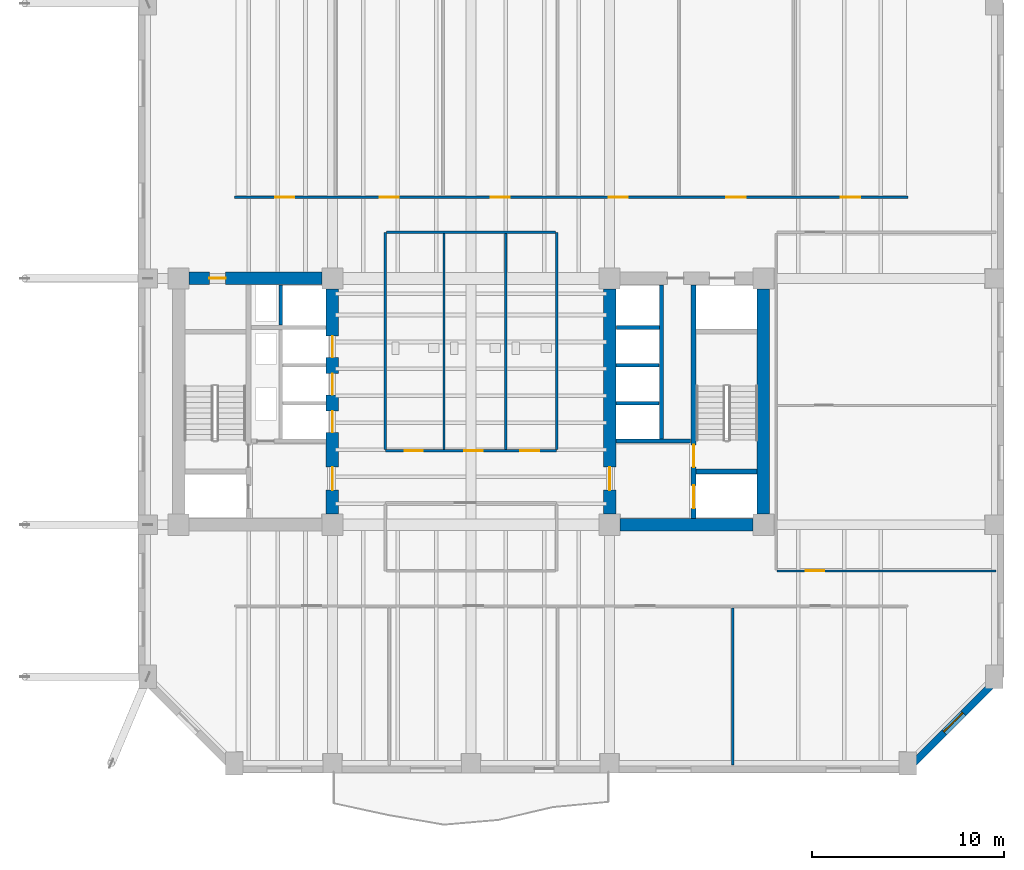
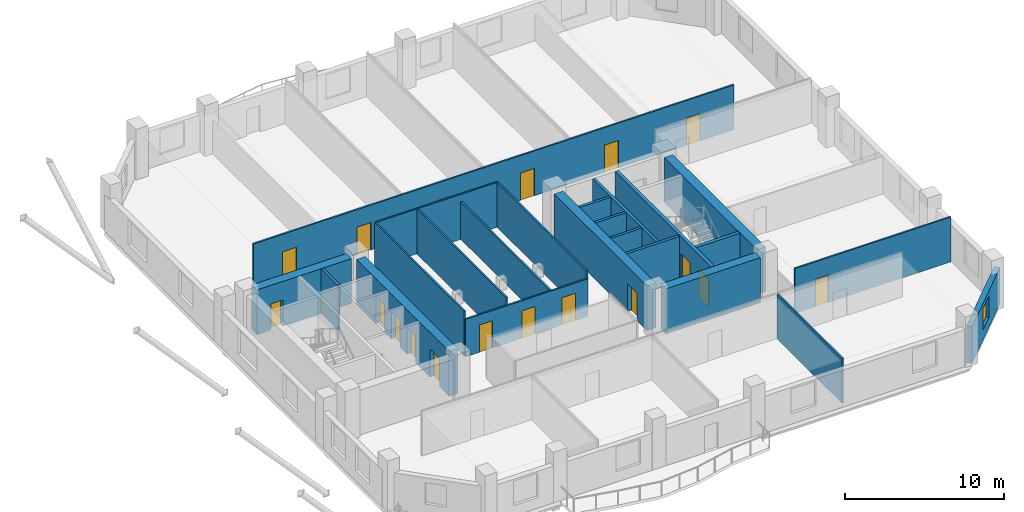
# One storey, part 6 of 12: 23 walls, 18 doors, 1 window, 19 openings.
"""IFC4 building model written with IfcOpenShell, lengths in metres."""

from ifc_helpers import new_model, si_unit, direction, frame, frame_2d, origin, place, context, subcontext, project, spatial, rectangle, extrude, material, layer, layer_set, type_object, element, fill, save


model = new_model("IFC4")

# Units and contexts
model_context = context("Model", 3, precision=1e-05, world=origin(), true_north=direction((0.0, 1.0)))
body_context = subcontext(model_context, "Body", "Model", "MODEL_VIEW")
ifc_project = project(units=[si_unit("LENGTHUNIT", "METRE"), si_unit("AREAUNIT", "SQUARE_METRE"), si_unit("VOLUMEUNIT", "CUBIC_METRE"), si_unit("PLANEANGLEUNIT", "RADIAN"), si_unit("MASSUNIT", "GRAM", prefix="KILO")], contexts=[model_context])

# Site, building, storey
site_placement = place(None, origin())
site = spatial("IfcSite", under=ifc_project, at=site_placement, CompositionType="ELEMENT")
building_placement = place(site_placement, origin())
building = spatial("IfcBuilding", under=site, at=building_placement, Name="Kranthara Brick Stack", CompositionType="ELEMENT")
storey_placement = place(building_placement, frame((0.0, 0.0, 90.60009765625)))
storey = spatial("IfcBuildingStorey", under=building, at=storey_placement, Name="L22", CompositionType="ELEMENT", Elevation=90.60009765625)

# Wall, opening, window
ifc_material_1 = material(Name="Kiln-fired clay brick masonry M15", Category="masonry")
ifc_layer_1 = layer(ifc_material_1, 0.3798828125)
ifc_layer_set_1 = layer_set([ifc_layer_1], Name="Kiln-fired clay brick masonry M15")
wall_type_1 = type_object("IfcWallType", Name="WL-BRK-PIER-380", PredefinedType="STANDARD", material=ifc_layer_set_1)
wall_1_placement = place(storey_placement, frame((55.489990234375, 12.89990234375, 0.0), z_axis=(0.0, 0.0, 1.0), x_axis=(-0.707124801467, -0.707088760447, 0.0)))
wall_1 = element("IfcWall", 1, at=wall_1_placement, inside=storey, type_object=wall_type_1, Name="L22 Exterior Brick Facade Wall SE 1", PredefinedType="STANDARD", context=body_context, shape_type="SweptSolid", body=[
    extrude(rectangle(XDim=6.77392578125, YDim=0.3798828125, at=frame_2d((3.386962890625, 0.0))), origin(), (0.0, 0.0, 1.0), 2.8349609375),
])
opening_1_placement = place(wall_1_placement, frame((2.68701171875, 0.0, 0.800048828125)))
opening_1 = element("IfcOpeningElement", 2, at=opening_1_placement, cuts=wall_1, Name="Opening WN10", PredefinedType="OPENING", context=body_context, shape_type="SweptSolid", body=[
    extrude(rectangle(XDim=1.39990234375, YDim=1.64990234375, at=frame_2d((0.699951171875, 0.824951171875))), frame((0.0, 0.199951171875, 0.0), z_axis=(0.0, -1.0, 0.0), x_axis=(1.0, 0.0, 0.0)), (0.0, 0.0, 1.0), 0.39990234375),
])
ifc_material_2 = material(Name="Double-glazed low-E solar control glass", Category="glass")
window_type = type_object("IfcWindowType", Name="WN-CHM-1400x1750", PartitioningType="SINGLE_PANEL", PredefinedType="WINDOW", material=ifc_material_2)
window_placement = place(opening_1_placement, origin())
window = element("IfcWindow", 3, at=window_placement, inside=storey, type_object=window_type, Name="L22 SE Chamfer Corner Window", OverallHeight=1.64990234375, OverallWidth=1.39990234375, PartitioningType="SINGLE_PANEL", PredefinedType="WINDOW", context=body_context, shape_type="SweptSolid", body=[
    extrude(rectangle(XDim=1.39990234375, YDim=1.64990234375, at=frame_2d((0.699951171875, 0.824951171875))), frame((0.0, -0.010009765625, 0.0), z_axis=(0.0, -1.0, 0.0), x_axis=(1.0, 0.0, 0.0)), (0.0, 0.0, 1.0), 0.06005859375),
])
fill(opening_1, window)

# Wall, openings, doors
ifc_material_3 = material(Name="Concrete C50/60", Category="concrete")
ifc_layer_2 = layer(ifc_material_3, 0.25)
ifc_layer_set_2 = layer_set([ifc_layer_2], Name="Concrete C50/60")
wall_type_2 = type_object("IfcWallType", Name="WL-CORE-250", PredefinedType="SHEAR", material=ifc_layer_set_2)
wall_2_placement = place(storey_placement, frame((39.56494140625, 21.135009765625, 0.0), z_axis=(0.0, 0.0, 1.0), x_axis=(0.0, 1.0, 0.0)))
wall_2 = element("IfcWall", 4, at=wall_2_placement, inside=storey, type_object=wall_type_2, Name="L22 East Core Stair Bearing Spine Wall", PredefinedType="SHEAR", context=body_context, shape_type="SweptSolid", body=[
    extrude(rectangle(XDim=12.1298828125, YDim=0.25, at=frame_2d((6.06494140625, 0.0))), origin(), (0.0, 0.0, 1.0), 3.449951171875),
])
opening_2_placement = place(wall_2_placement, frame((0.514892578125, 0.0, 0.0)))
opening_2 = element("IfcOpeningElement", 5, at=opening_2_placement, cuts=wall_2, Name="Opening LD01", PredefinedType="OPENING", context=body_context, shape_type="SweptSolid", body=[
    extrude(rectangle(XDim=1.199951171875, YDim=2.14990234375, at=frame_2d((0.60009765625, 1.074951171875))), frame((0.0, 0.135009765625, 0.0), z_axis=(0.0, -1.0, 0.0), x_axis=(1.0, 0.0, 0.0)), (0.0, 0.0, 1.0), 0.27001953125),
])
opening_3_placement = place(wall_2_placement, frame((2.6650390625, 0.0, 0.0)))
opening_3 = element("IfcOpeningElement", 6, at=opening_3_placement, cuts=wall_2, Name="Opening D05", PredefinedType="OPENING", context=body_context, shape_type="SweptSolid", body=[
    extrude(rectangle(XDim=1.14990234375, YDim=2.14990234375, at=frame_2d((0.574951171875, 1.074951171875))), frame((0.0, 0.135009765625, 0.0), z_axis=(0.0, -1.0, 0.0), x_axis=(1.0, 0.0, 0.0)), (0.0, 0.0, 1.0), 0.27001953125),
])
ifc_material_4 = material(Name="Stainless steel sliding landing door", Category="steel")
door_type_1 = type_object("IfcDoorType", Name="DR-LD-FF1200", OperationType="DOUBLE_DOOR_SLIDING", PredefinedType="DOOR", material=ifc_material_4)
door_1_placement = place(opening_2_placement, origin())
door_1 = element("IfcDoor", 7, at=door_1_placement, inside=storey, type_object=door_type_1, Name="L22 Firefighting Lift FF-02 Landing Door", OperationType="DOUBLE_DOOR_SLIDING", OverallHeight=2.14990234375, OverallWidth=1.199951171875, PredefinedType="DOOR", context=body_context, shape_type="SweptSolid", body=[
    extrude(rectangle(XDim=1.199951171875, YDim=2.14990234375, at=frame_2d((0.60009765625, 1.074951171875))), frame((0.0, 0.02490234375, 0.0), z_axis=(0.0, -1.0, 0.0), x_axis=(1.0, 0.0, 0.0)), (0.0, 0.0, 1.0), 0.050048828125),
])
fill(opening_2, door_1)
ifc_material_5 = material(Name="Solid-core hardwood timber leaf in steel frame", Category="steel")
door_type_2 = type_object("IfcDoorType", Name="DR-ST-1150", OperationType="NOTDEFINED", PredefinedType="DOOR", material=ifc_material_5)
door_2_placement = place(opening_3_placement, origin())
door_2 = element("IfcDoor", 8, at=door_2_placement, inside=storey, type_object=door_type_2, Name="L22 Exit Stair ST02 Door", OperationType="SINGLE_SWING_LEFT", OverallHeight=2.14990234375, OverallWidth=1.14990234375, PredefinedType="DOOR", context=body_context, shape_type="SweptSolid", body=[
    extrude(rectangle(XDim=1.14990234375, YDim=2.14990234375, at=frame_2d((0.574951171875, 1.074951171875))), frame((0.0, 0.02490234375, 0.0), z_axis=(0.0, -1.0, 0.0), x_axis=(1.0, 0.0, 0.0)), (0.0, 0.0, 1.0), 0.050048828125),
])
fill(opening_3, door_2)

# Wall
wall_3_placement = place(storey_placement, frame((39.68994140625, 23.570068359375, 0.0), z_axis=(0.0, 0.0, 1.0), x_axis=(1.0, 0.0, 0.0)))
element("IfcWall", 9, at=wall_3_placement, inside=storey, type_object=wall_type_2, Name="L22 East Stairwell Bearing Wall EFF", PredefinedType="SHEAR", context=body_context, shape_type="SweptSolid", body=[
    extrude(rectangle(XDim=3.175048828125, YDim=0.25, at=frame_2d((1.58740234375, 0.0))), origin(), (0.0, 0.0, 1.0), 3.449951171875),
])

# Wall, opening, door
ifc_material_6 = material(Name="Concrete C60/75", Category="concrete")
ifc_layer_3 = layer(ifc_material_6, 0.64990234375)
ifc_layer_set_3 = layer_set([ifc_layer_3], Name="Concrete C60/75")
wall_type_3 = type_object("IfcWallType", Name="WL-CORE-650", PredefinedType="SHEAR", material=ifc_layer_set_3)
wall_4_placement = place(storey_placement, frame((13.35498046875, 33.60009765625, 0.0), z_axis=(0.0, 0.0, 1.0), x_axis=(1.0, 0.0, 0.0)))
wall_4 = element("IfcWall", 10, at=wall_4_placement, inside=storey, type_object=wall_type_3, Name="L22 West Core Shear Wall North", PredefinedType="SHEAR", context=body_context, shape_type="SweptSolid", body=[
    extrude(rectangle(XDim=6.89013671875, YDim=0.64990234375, at=frame_2d((3.445068359375, 0.0))), origin(), (0.0, 0.0, 1.0), 3.449951171875),
])
opening_4_placement = place(wall_4_placement, frame((1.044921875, 0.0, 0.0)))
opening_4 = element("IfcOpeningElement", 11, at=opening_4_placement, cuts=wall_4, Name="Opening D10", PredefinedType="OPENING", context=body_context, shape_type="SweptSolid", body=[
    extrude(rectangle(XDim=0.85009765625, YDim=2.02001953125, at=frame_2d((0.425048828125, 1.010009765625))), frame((0.0, 0.3349609375, 0.0), z_axis=(0.0, -1.0, 0.0), x_axis=(1.0, 0.0, 0.0)), (0.0, 0.0, 1.0), 0.669921875),
])
ifc_material_7 = material(Name="Solid-core hardwood timber leaf in steel frame", Category="steel")
door_type_3 = type_object("IfcDoorType", Name="DR-RSR-850", OperationType="NOTDEFINED", PredefinedType="DOOR", material=ifc_material_7)
door_3_placement = place(opening_4_placement, origin())
door_3 = element("IfcDoor", 12, at=door_3_placement, inside=storey, type_object=door_type_3, Name="L22 West Core Service Door 1", OperationType="SINGLE_SWING_LEFT", OverallHeight=2.02001953125, OverallWidth=0.85009765625, PredefinedType="DOOR", context=body_context, shape_type="SweptSolid", body=[
    extrude(rectangle(XDim=0.85009765625, YDim=2.02001953125, at=frame_2d((0.425048828125, 1.010009765625))), frame((0.0, 0.02490234375, 0.0), z_axis=(0.0, -1.0, 0.0), x_axis=(1.0, 0.0, 0.0)), (0.0, 0.0, 1.0), 0.050048828125),
])
fill(opening_4, door_3)

# Wall, openings, doors
wall_5_placement = place(storey_placement, frame((20.800048828125, 21.35498046875, 0.0), z_axis=(0.0, 0.0, 1.0), x_axis=(0.0, 1.0, 0.0)))
wall_5 = element("IfcWall", 13, at=wall_5_placement, inside=storey, type_object=wall_type_3, Name="L22 West Core Shear Wall East", PredefinedType="SHEAR", context=body_context, shape_type="SweptSolid", body=[
    extrude(rectangle(XDim=11.68994140625, YDim=0.64990234375, at=frame_2d((5.844970703125, 0.0))), origin(), (0.0, 0.0, 1.0), 3.449951171875),
])
opening_5_placement = place(wall_5_placement, frame((1.2451171875, 0.0, 0.0)))
opening_5 = element("IfcOpeningElement", 14, at=opening_5_placement, cuts=wall_5, Name="Opening D06", PredefinedType="OPENING", context=body_context, shape_type="SweptSolid", body=[
    extrude(rectangle(XDim=1.199951171875, YDim=2.14990234375, at=frame_2d((0.60009765625, 1.074951171875))), frame((0.0, 0.3349609375, 0.0), z_axis=(0.0, -1.0, 0.0), x_axis=(1.0, 0.0, 0.0)), (0.0, 0.0, 1.0), 0.669921875),
])
opening_6_placement = place(wall_5_placement, frame((4.2451171875, 0.0, 0.0)))
opening_6 = element("IfcOpeningElement", 15, at=opening_6_placement, cuts=wall_5, Name="Opening LD02", PredefinedType="OPENING", context=body_context, shape_type="SweptSolid", body=[
    extrude(rectangle(XDim=1.10009765625, YDim=2.10009765625, at=frame_2d((0.550048828125, 1.050048828125))), frame((0.0, 0.3349609375, 0.0), z_axis=(0.0, -1.0, 0.0), x_axis=(1.0, 0.0, 0.0)), (0.0, 0.0, 1.0), 0.669921875),
])
opening_7_placement = place(wall_5_placement, frame((6.195068359375, 0.0, 0.0)))
opening_7 = element("IfcOpeningElement", 16, at=opening_7_placement, cuts=wall_5, Name="Opening LD02", PredefinedType="OPENING", context=body_context, shape_type="SweptSolid", body=[
    extrude(rectangle(XDim=1.10009765625, YDim=2.10009765625, at=frame_2d((0.550048828125, 1.050048828125))), frame((0.0, 0.3349609375, 0.0), z_axis=(0.0, -1.0, 0.0), x_axis=(1.0, 0.0, 0.0)), (0.0, 0.0, 1.0), 0.669921875),
])
opening_8_placement = place(wall_5_placement, frame((8.14501953125, 0.0, 0.0)))
opening_8 = element("IfcOpeningElement", 17, at=opening_8_placement, cuts=wall_5, Name="Opening LD02", PredefinedType="OPENING", context=body_context, shape_type="SweptSolid", body=[
    extrude(rectangle(XDim=1.10009765625, YDim=2.10009765625, at=frame_2d((0.550048828125, 1.050048828125))), frame((0.0, 0.3349609375, 0.0), z_axis=(0.0, -1.0, 0.0), x_axis=(1.0, 0.0, 0.0)), (0.0, 0.0, 1.0), 0.669921875),
])
ifc_material_8 = material(Name="Solid-core hardwood timber leaf in steel frame", Category="steel")
door_type_4 = type_object("IfcDoorType", Name="DR-FFL-1200", OperationType="NOTDEFINED", PredefinedType="DOOR", material=ifc_material_8)
door_4_placement = place(opening_5_placement, origin())
door_4 = element("IfcDoor", 18, at=door_4_placement, inside=storey, type_object=door_type_4, Name="L22 West Firefighting Lobby Door", OperationType="SINGLE_SWING_LEFT", OverallHeight=2.14990234375, OverallWidth=1.199951171875, PredefinedType="DOOR", context=body_context, shape_type="SweptSolid", body=[
    extrude(rectangle(XDim=1.199951171875, YDim=2.14990234375, at=frame_2d((0.60009765625, 1.074951171875))), frame((0.0, 0.02490234375, 0.0), z_axis=(0.0, -1.0, 0.0), x_axis=(1.0, 0.0, 0.0)), (0.0, 0.0, 1.0), 0.050048828125),
])
fill(opening_5, door_4)
ifc_material_9 = material(Name="Stainless steel sliding landing door", Category="steel")
door_type_5 = type_object("IfcDoorType", Name="DR-LD-PL1100", OperationType="DOUBLE_DOOR_SLIDING", PredefinedType="DOOR", material=ifc_material_9)
door_5_placement = place(opening_6_placement, origin())
door_5 = element("IfcDoor", 19, at=door_5_placement, inside=storey, type_object=door_type_5, Name="L22 PL-01 Lift Landing Door", OperationType="DOUBLE_DOOR_SLIDING", OverallHeight=2.10009765625, OverallWidth=1.10009765625, PredefinedType="DOOR", context=body_context, shape_type="SweptSolid", body=[
    extrude(rectangle(XDim=1.10009765625, YDim=2.10009765625, at=frame_2d((0.550048828125, 1.050048828125))), frame((0.0, 0.02490234375, 0.0), z_axis=(0.0, -1.0, 0.0), x_axis=(1.0, 0.0, 0.0)), (0.0, 0.0, 1.0), 0.050048828125),
])
fill(opening_6, door_5)
door_6_placement = place(opening_7_placement, origin())
door_6 = element("IfcDoor", 20, at=door_6_placement, inside=storey, type_object=door_type_5, Name="L22 PL-02 Lift Landing Door", OperationType="DOUBLE_DOOR_SLIDING", OverallHeight=2.10009765625, OverallWidth=1.10009765625, PredefinedType="DOOR", context=body_context, shape_type="SweptSolid", body=[
    extrude(rectangle(XDim=1.10009765625, YDim=2.10009765625, at=frame_2d((0.550048828125, 1.050048828125))), frame((0.0, 0.02490234375, 0.0), z_axis=(0.0, -1.0, 0.0), x_axis=(1.0, 0.0, 0.0)), (0.0, 0.0, 1.0), 0.050048828125),
])
fill(opening_7, door_6)
door_7_placement = place(opening_8_placement, origin())
door_7 = element("IfcDoor", 21, at=door_7_placement, inside=storey, type_object=door_type_5, Name="L22 PL-03 Lift Landing Door", OperationType="DOUBLE_DOOR_SLIDING", OverallHeight=2.10009765625, OverallWidth=1.10009765625, PredefinedType="DOOR", context=body_context, shape_type="SweptSolid", body=[
    extrude(rectangle(XDim=1.10009765625, YDim=2.10009765625, at=frame_2d((0.550048828125, 1.050048828125))), frame((0.0, 0.02490234375, 0.0), z_axis=(0.0, -1.0, 0.0), x_axis=(1.0, 0.0, 0.0)), (0.0, 0.0, 1.0), 0.050048828125),
])
fill(opening_8, door_7)

# Walls
wall_6_placement = place(storey_placement, frame((43.199951171875, 21.35498046875, 0.0), z_axis=(0.0, 0.0, 1.0), x_axis=(0.0, 1.0, 0.0)))
element("IfcWall", 22, at=wall_6_placement, inside=storey, type_object=wall_type_3, Name="L22 East Core Shear Wall East", PredefinedType="SHEAR", context=body_context, shape_type="SweptSolid", body=[
    extrude(rectangle(XDim=11.68994140625, YDim=0.64990234375, at=frame_2d((5.844970703125, 0.0))), origin(), (0.0, 0.0, 1.0), 3.449951171875),
])
wall_7_placement = place(storey_placement, frame((35.7548828125, 20.800048828125, 0.0), z_axis=(0.0, 0.0, 1.0), x_axis=(1.0, 0.0, 0.0)))
element("IfcWall", 23, at=wall_7_placement, inside=storey, type_object=wall_type_3, Name="L22 East Core Shear Wall South", PredefinedType="SHEAR", context=body_context, shape_type="SweptSolid", body=[
    extrude(rectangle(XDim=6.89013671875, YDim=0.64990234375, at=frame_2d((3.445068359375, 0.0))), origin(), (0.0, 0.0, 1.0), 3.449951171875),
])

# Wall, opening, door
wall_8_placement = place(storey_placement, frame((35.199951171875, 21.35498046875, 0.0), z_axis=(0.0, 0.0, 1.0), x_axis=(0.0, 1.0, 0.0)))
wall_8 = element("IfcWall", 24, at=wall_8_placement, inside=storey, type_object=wall_type_3, Name="L22 East Core Shear Wall West", PredefinedType="SHEAR", context=body_context, shape_type="SweptSolid", body=[
    extrude(rectangle(XDim=11.68994140625, YDim=0.64990234375, at=frame_2d((5.844970703125, 0.0))), origin(), (0.0, 0.0, 1.0), 3.449951171875),
])
opening_9_placement = place(wall_8_placement, frame((1.2451171875, 0.0, 0.0)))
opening_9 = element("IfcOpeningElement", 25, at=opening_9_placement, cuts=wall_8, Name="Opening D06", PredefinedType="OPENING", context=body_context, shape_type="SweptSolid", body=[
    extrude(rectangle(XDim=1.199951171875, YDim=2.14990234375, at=frame_2d((0.60009765625, 1.074951171875))), frame((0.0, 0.3349609375, 0.0), z_axis=(0.0, -1.0, 0.0), x_axis=(1.0, 0.0, 0.0)), (0.0, 0.0, 1.0), 0.669921875),
])
door_8_placement = place(opening_9_placement, origin())
door_8 = element("IfcDoor", 26, at=door_8_placement, inside=storey, type_object=door_type_4, Name="L22 East Firefighting Lobby Door", OperationType="SINGLE_SWING_RIGHT", OverallHeight=2.14990234375, OverallWidth=1.199951171875, PredefinedType="DOOR", context=body_context, shape_type="SweptSolid", body=[
    extrude(rectangle(XDim=1.199951171875, YDim=2.14990234375, at=frame_2d((0.60009765625, 1.074951171875))), frame((0.0, 0.02490234375, 0.0), z_axis=(0.0, -1.0, 0.0), x_axis=(1.0, 0.0, 0.0)), (0.0, 0.0, 1.0), 0.050048828125),
])
fill(opening_9, door_8)

# Wall, openings, doors
ifc_material_10 = material(Name="Acoustic gypsum plasterboard partition", Category="other")
ifc_layer_4 = layer(ifc_material_10, 0.1201171875)
ifc_layer_set_4 = layer_set([ifc_layer_4], Name="Acoustic gypsum plasterboard partition")
wall_type_4 = type_object("IfcWallType", Name="WL-PART-120", PredefinedType="PARTITIONING", material=ifc_layer_set_4)
wall_9_placement = place(storey_placement, frame((23.550048828125, 24.64990234375, 0.0), z_axis=(0.0, 0.0, 1.0), x_axis=(1.0, 0.0, 0.0)))
wall_9 = element("IfcWall", 27, at=wall_9_placement, inside=storey, type_object=wall_type_4, Name="L22 Interior Partition 001", PredefinedType="PARTITIONING", context=body_context, shape_type="SweptSolid", body=[
    extrude(rectangle(XDim=8.89990234375, YDim=0.1201171875, at=frame_2d((4.449951171875, 0.0))), origin(), (0.0, 0.0, 1.0), 2.885009765625),
])
opening_10_placement = place(wall_9_placement, frame((1.0, 0.0, 0.0)))
opening_10 = element("IfcOpeningElement", 28, at=opening_10_placement, cuts=wall_9, Name="Opening D14", PredefinedType="OPENING", context=body_context, shape_type="SweptSolid", body=[
    extrude(rectangle(XDim=0.949951171875, YDim=2.10009765625, at=frame_2d((0.47509765625, 1.050048828125))), frame((0.0, 0.070068359375, 0.0), z_axis=(0.0, -1.0, 0.0), x_axis=(1.0, 0.0, 0.0)), (0.0, 0.0, 1.0), 0.14013671875),
])
opening_11_placement = place(wall_9_placement, frame((4.10009765625, 0.0, 0.0)))
opening_11 = element("IfcOpeningElement", 29, at=opening_11_placement, cuts=wall_9, Name="Opening D14", PredefinedType="OPENING", context=body_context, shape_type="SweptSolid", body=[
    extrude(rectangle(XDim=0.949951171875, YDim=2.10009765625, at=frame_2d((0.47509765625, 1.050048828125))), frame((0.0, 0.070068359375, 0.0), z_axis=(0.0, -1.0, 0.0), x_axis=(1.0, 0.0, 0.0)), (0.0, 0.0, 1.0), 0.14013671875),
])
opening_12_placement = place(wall_9_placement, frame((7.0, 0.0, 0.0)))
opening_12 = element("IfcOpeningElement", 30, at=opening_12_placement, cuts=wall_9, Name="Opening D18", PredefinedType="OPENING", context=body_context, shape_type="SweptSolid", body=[
    extrude(rectangle(XDim=1.0, YDim=2.10009765625, at=frame_2d((0.5, 1.050048828125))), frame((0.0, 0.070068359375, 0.0), z_axis=(0.0, -1.0, 0.0), x_axis=(1.0, 0.0, 0.0)), (0.0, 0.0, 1.0), 0.14013671875),
])
ifc_material_11 = material(Name="Solid-core hardwood timber leaf in steel frame", Category="steel")
door_type_6 = type_object("IfcDoorType", Name="DR-ACC-1000", OperationType="NOTDEFINED", PredefinedType="DOOR", material=ifc_material_11)
door_9_placement = place(opening_12_placement, origin())
door_9 = element("IfcDoor", 31, at=door_9_placement, inside=storey, type_object=door_type_6, Name="L22 Accessible WC Door 03", OperationType="SINGLE_SWING_LEFT", OverallHeight=2.10009765625, OverallWidth=1.0, PredefinedType="DOOR", context=body_context, shape_type="SweptSolid", body=[
    extrude(rectangle(XDim=1.0, YDim=2.10009765625, at=frame_2d((0.5, 1.050048828125))), frame((0.0, 0.02490234375, 0.0), z_axis=(0.0, -1.0, 0.0), x_axis=(1.0, 0.0, 0.0)), (0.0, 0.0, 1.0), 0.050048828125),
])
fill(opening_12, door_9)
ifc_material_12 = material(Name="Solid-core hardwood timber leaf in steel frame", Category="steel")
door_type_7 = type_object("IfcDoorType", Name="DR-INT-950", OperationType="NOTDEFINED", PredefinedType="DOOR", material=ifc_material_12)
door_10_placement = place(opening_10_placement, origin())
door_10 = element("IfcDoor", 32, at=door_10_placement, inside=storey, type_object=door_type_7, Name="L22 Male WC Door 01", OperationType="SINGLE_SWING_LEFT", OverallHeight=2.10009765625, OverallWidth=0.949951171875, PredefinedType="DOOR", context=body_context, shape_type="SweptSolid", body=[
    extrude(rectangle(XDim=0.949951171875, YDim=2.10009765625, at=frame_2d((0.47509765625, 1.050048828125))), frame((0.0, 0.02490234375, 0.0), z_axis=(0.0, -1.0, 0.0), x_axis=(1.0, 0.0, 0.0)), (0.0, 0.0, 1.0), 0.050048828125),
])
fill(opening_10, door_10)
door_11_placement = place(opening_11_placement, origin())
door_11 = element("IfcDoor", 33, at=door_11_placement, inside=storey, type_object=door_type_7, Name="L22 Female WC Door 02", OperationType="SINGLE_SWING_RIGHT", OverallHeight=2.10009765625, OverallWidth=0.949951171875, PredefinedType="DOOR", context=body_context, shape_type="SweptSolid", body=[
    extrude(rectangle(XDim=0.949951171875, YDim=2.10009765625, at=frame_2d((0.47509765625, 1.050048828125))), frame((0.0, 0.02490234375, 0.0), z_axis=(0.0, -1.0, 0.0), x_axis=(1.0, 0.0, 0.0)), (0.0, 0.0, 1.0), 0.050048828125),
])
fill(opening_11, door_11)

# Walls
for number, where, z_axis, x_axis, name in (
    (34, (23.550048828125, 24.715087890625, 0.0), (0.0, 0.0, 1.0), (0.0, 1.0, 0.0), "L22 Interior Partition 002"),
    (35, (32.449951171875, 24.715087890625, 0.0), (0.0, 0.0, 1.0), (0.0, 1.0, 0.0), "L22 Interior Partition 003"),
    (36, (26.60009765625, 24.715087890625, 0.0), (0.0, 0.0, 1.0), (0.0, 1.0, 0.0), "L22 Interior Partition 004"),
):
    element("IfcWall", number, at=place(storey_placement, frame(where, z_axis=z_axis, x_axis=x_axis)), inside=storey, type_object=wall_type_4, Name=name, PredefinedType="PARTITIONING", context=body_context, shape_type="SweptSolid", body=[
        extrude(rectangle(XDim=11.284912109375, YDim=0.1201171875, at=frame_2d((5.642578125, 0.0))), origin(), (0.0, 0.0, 1.0), 3.449951171875),
    ])
wall_10_placement = place(storey_placement, frame((29.800048828125, 24.715087890625, 0.0), z_axis=(0.0, 0.0, 1.0), x_axis=(0.0, 1.0, 0.0)))
element("IfcWall", 37, at=wall_10_placement, inside=storey, type_object=wall_type_4, Name="L22 Interior Partition 005", PredefinedType="PARTITIONING", context=body_context, shape_type="SweptSolid", body=[
    extrude(rectangle(XDim=11.284912109375, YDim=0.1201171875, at=frame_2d((5.642578125, 0.0))), origin(), (0.0, 0.0, 1.0), 2.885009765625),
])
wall_11_placement = place(storey_placement, frame((23.614990234375, 36.0, 0.0), z_axis=(0.0, 0.0, 1.0), x_axis=(1.0, 0.0, 0.0)))
element("IfcWall", 38, at=wall_11_placement, inside=storey, type_object=wall_type_4, Name="L22 Interior Partition 006", PredefinedType="PARTITIONING", context=body_context, shape_type="SweptSolid", body=[
    extrude(rectangle(XDim=8.77001953125, YDim=0.1201171875, at=frame_2d((4.385009765625, 0.0))), origin(), (0.0, 0.0, 1.0), 3.449951171875),
])
wall_12_placement = place(storey_placement, frame((41.60009765625, 8.304931640625, 0.0), z_axis=(0.0, 0.0, 1.0), x_axis=(0.0, 1.0, 0.0)))
element("IfcWall", 39, at=wall_12_placement, inside=storey, type_object=wall_type_4, Name="L22 Interior Partition 014", PredefinedType="PARTITIONING", context=body_context, shape_type="SweptSolid", body=[
    extrude(rectangle(XDim=8.175048828125, YDim=0.1201171875, at=frame_2d((4.08740234375, 0.0))), origin(), (0.0, 0.0, 1.0), 3.449951171875),
])

# Wall, openings, doors
wall_13_placement = place(storey_placement, frame((15.699951171875, 37.820068359375, 0.0), z_axis=(0.0, 0.0, 1.0), x_axis=(1.0, 0.0, 0.0)))
wall_13 = element("IfcWall", 40, at=wall_13_placement, inside=storey, type_object=wall_type_4, Name="L22 Interior Partition 015", PredefinedType="PARTITIONING", context=body_context, shape_type="SweptSolid", body=[
    extrude(rectangle(XDim=35.0, YDim=0.1201171875, at=frame_2d((17.5, 0.0))), origin(), (0.0, 0.0, 1.0), 3.449951171875),
])
opening_13_placement = place(wall_13_placement, frame((2.125, 0.0, 0.0)))
opening_13 = element("IfcOpeningElement", 41, at=opening_13_placement, cuts=wall_13, Name="Opening D13", PredefinedType="OPENING", context=body_context, shape_type="SweptSolid", body=[
    extrude(rectangle(XDim=1.0, YDim=2.10009765625, at=frame_2d((0.5, 1.050048828125))), frame((0.0, 0.070068359375, 0.0), z_axis=(0.0, -1.0, 0.0), x_axis=(1.0, 0.0, 0.0)), (0.0, 0.0, 1.0), 0.14013671875),
])
opening_14_placement = place(wall_13_placement, frame((7.550048828125, 0.0, 0.0)))
opening_14 = element("IfcOpeningElement", 42, at=opening_14_placement, cuts=wall_13, Name="Opening D13", PredefinedType="OPENING", context=body_context, shape_type="SweptSolid", body=[
    extrude(rectangle(XDim=1.0, YDim=2.10009765625, at=frame_2d((0.5, 1.050048828125))), frame((0.0, 0.070068359375, 0.0), z_axis=(0.0, -1.0, 0.0), x_axis=(1.0, 0.0, 0.0)), (0.0, 0.0, 1.0), 0.14013671875),
])
opening_15_placement = place(wall_13_placement, frame((13.324951171875, 0.0, 0.0)))
opening_15 = element("IfcOpeningElement", 43, at=opening_15_placement, cuts=wall_13, Name="Opening D13", PredefinedType="OPENING", context=body_context, shape_type="SweptSolid", body=[
    extrude(rectangle(XDim=1.0, YDim=2.10009765625, at=frame_2d((0.5, 1.050048828125))), frame((0.0, 0.070068359375, 0.0), z_axis=(0.0, -1.0, 0.0), x_axis=(1.0, 0.0, 0.0)), (0.0, 0.0, 1.0), 0.14013671875),
])
opening_16_placement = place(wall_13_placement, frame((19.449951171875, 0.0, 0.0)))
opening_16 = element("IfcOpeningElement", 44, at=opening_16_placement, cuts=wall_13, Name="Opening D13", PredefinedType="OPENING", context=body_context, shape_type="SweptSolid", body=[
    extrude(rectangle(XDim=1.0, YDim=2.10009765625, at=frame_2d((0.5, 1.050048828125))), frame((0.0, 0.070068359375, 0.0), z_axis=(0.0, -1.0, 0.0), x_axis=(1.0, 0.0, 0.0)), (0.0, 0.0, 1.0), 0.14013671875),
])
opening_17_placement = place(wall_13_placement, frame((25.574951171875, 0.0, 0.0)))
opening_17 = element("IfcOpeningElement", 45, at=opening_17_placement, cuts=wall_13, Name="Opening D13", PredefinedType="OPENING", context=body_context, shape_type="SweptSolid", body=[
    extrude(rectangle(XDim=1.0, YDim=2.10009765625, at=frame_2d((0.5, 1.050048828125))), frame((0.0, 0.070068359375, 0.0), z_axis=(0.0, -1.0, 0.0), x_axis=(1.0, 0.0, 0.0)), (0.0, 0.0, 1.0), 0.14013671875),
])
opening_18_placement = place(wall_13_placement, frame((31.52490234375, 0.0, 0.0)))
opening_18 = element("IfcOpeningElement", 46, at=opening_18_placement, cuts=wall_13, Name="Opening D13", PredefinedType="OPENING", context=body_context, shape_type="SweptSolid", body=[
    extrude(rectangle(XDim=1.0, YDim=2.10009765625, at=frame_2d((0.5, 1.050048828125))), frame((0.0, 0.070068359375, 0.0), z_axis=(0.0, -1.0, 0.0), x_axis=(1.0, 0.0, 0.0)), (0.0, 0.0, 1.0), 0.14013671875),
])
ifc_material_13 = material(Name="Solid-core hardwood timber leaf in steel frame", Category="steel")
door_type_8 = type_object("IfcDoorType", Name="DR-INT-1000", OperationType="NOTDEFINED", PredefinedType="DOOR", material=ifc_material_13)
door_12_placement = place(opening_13_placement, origin())
door_12 = element("IfcDoor", 47, at=door_12_placement, inside=storey, type_object=door_type_8, Name="L22 Executive Cellular Office 09", OperationType="SINGLE_SWING_LEFT", OverallHeight=2.10009765625, OverallWidth=1.0, PredefinedType="DOOR", context=body_context, shape_type="SweptSolid", body=[
    extrude(rectangle(XDim=1.0, YDim=2.10009765625, at=frame_2d((0.5, 1.050048828125))), frame((0.0, 0.02490234375, 0.0), z_axis=(0.0, -1.0, 0.0), x_axis=(1.0, 0.0, 0.0)), (0.0, 0.0, 1.0), 0.050048828125),
])
fill(opening_13, door_12)
door_13_placement = place(opening_14_placement, origin())
door_13 = element("IfcDoor", 48, at=door_13_placement, inside=storey, type_object=door_type_8, Name="L22 Executive Cellular Office 10", OperationType="SINGLE_SWING_RIGHT", OverallHeight=2.10009765625, OverallWidth=1.0, PredefinedType="DOOR", context=body_context, shape_type="SweptSolid", body=[
    extrude(rectangle(XDim=1.0, YDim=2.10009765625, at=frame_2d((0.5, 1.050048828125))), frame((0.0, 0.02490234375, 0.0), z_axis=(0.0, -1.0, 0.0), x_axis=(1.0, 0.0, 0.0)), (0.0, 0.0, 1.0), 0.050048828125),
])
fill(opening_14, door_13)
door_14_placement = place(opening_15_placement, origin())
door_14 = element("IfcDoor", 49, at=door_14_placement, inside=storey, type_object=door_type_8, Name="L22 Executive Cellular Office 11", OperationType="SINGLE_SWING_LEFT", OverallHeight=2.10009765625, OverallWidth=1.0, PredefinedType="DOOR", context=body_context, shape_type="SweptSolid", body=[
    extrude(rectangle(XDim=1.0, YDim=2.10009765625, at=frame_2d((0.5, 1.050048828125))), frame((0.0, 0.02490234375, 0.0), z_axis=(0.0, -1.0, 0.0), x_axis=(1.0, 0.0, 0.0)), (0.0, 0.0, 1.0), 0.050048828125),
])
fill(opening_15, door_14)
door_15_placement = place(opening_16_placement, origin())
door_15 = element("IfcDoor", 50, at=door_15_placement, inside=storey, type_object=door_type_8, Name="L22 Executive Cellular Office 12", OperationType="SINGLE_SWING_RIGHT", OverallHeight=2.10009765625, OverallWidth=1.0, PredefinedType="DOOR", context=body_context, shape_type="SweptSolid", body=[
    extrude(rectangle(XDim=1.0, YDim=2.10009765625, at=frame_2d((0.5, 1.050048828125))), frame((0.0, 0.02490234375, 0.0), z_axis=(0.0, -1.0, 0.0), x_axis=(1.0, 0.0, 0.0)), (0.0, 0.0, 1.0), 0.050048828125),
])
fill(opening_16, door_15)
door_16_placement = place(opening_17_placement, origin())
door_16 = element("IfcDoor", 51, at=door_16_placement, inside=storey, type_object=door_type_8, Name="L22 Focus Study Room 13", OperationType="SINGLE_SWING_LEFT", OverallHeight=2.10009765625, OverallWidth=1.0, PredefinedType="DOOR", context=body_context, shape_type="SweptSolid", body=[
    extrude(rectangle(XDim=1.0, YDim=2.10009765625, at=frame_2d((0.5, 1.050048828125))), frame((0.0, 0.02490234375, 0.0), z_axis=(0.0, -1.0, 0.0), x_axis=(1.0, 0.0, 0.0)), (0.0, 0.0, 1.0), 0.050048828125),
])
fill(opening_17, door_16)
door_17_placement = place(opening_18_placement, origin())
door_17 = element("IfcDoor", 52, at=door_17_placement, inside=storey, type_object=door_type_8, Name="L22 Staff Pantry 14", OperationType="SINGLE_SWING_RIGHT", OverallHeight=2.10009765625, OverallWidth=1.0, PredefinedType="DOOR", context=body_context, shape_type="SweptSolid", body=[
    extrude(rectangle(XDim=1.0, YDim=2.10009765625, at=frame_2d((0.5, 1.050048828125))), frame((0.0, 0.02490234375, 0.0), z_axis=(0.0, -1.0, 0.0), x_axis=(1.0, 0.0, 0.0)), (0.0, 0.0, 1.0), 0.050048828125),
])
fill(opening_18, door_17)

# Wall, opening, door
wall_14_placement = place(storey_placement, frame((43.9150390625, 18.39990234375, 0.0), z_axis=(0.0, 0.0, 1.0), x_axis=(1.0, 0.0, 0.0)))
wall_14 = element("IfcWall", 53, at=wall_14_placement, inside=storey, type_object=wall_type_4, Name="L22 Interior Partition 022", PredefinedType="PARTITIONING", context=body_context, shape_type="SweptSolid", body=[
    extrude(rectangle(XDim=11.3798828125, YDim=0.1201171875, at=frame_2d((5.68994140625, 0.0))), origin(), (0.0, 0.0, 1.0), 3.449951171875),
])
opening_19_placement = place(wall_14_placement, frame((1.485107421875, 0.0, 0.0)))
opening_19 = element("IfcOpeningElement", 54, at=opening_19_placement, cuts=wall_14, Name="Opening D14", PredefinedType="OPENING", context=body_context, shape_type="SweptSolid", body=[
    extrude(rectangle(XDim=0.949951171875, YDim=2.10009765625, at=frame_2d((0.47509765625, 1.050048828125))), frame((0.0, 0.070068359375, 0.0), z_axis=(0.0, -1.0, 0.0), x_axis=(1.0, 0.0, 0.0)), (0.0, 0.0, 1.0), 0.14013671875),
])
door_18_placement = place(opening_19_placement, origin())
door_18 = element("IfcDoor", 55, at=door_18_placement, inside=storey, type_object=door_type_7, Name="L22 East South Office 16", OperationType="SINGLE_SWING_RIGHT", OverallHeight=2.10009765625, OverallWidth=0.949951171875, PredefinedType="DOOR", context=body_context, shape_type="SweptSolid", body=[
    extrude(rectangle(XDim=0.949951171875, YDim=2.10009765625, at=frame_2d((0.47509765625, 1.050048828125))), frame((0.0, 0.02490234375, 0.0), z_axis=(0.0, -1.0, 0.0), x_axis=(1.0, 0.0, 0.0)), (0.0, 0.0, 1.0), 0.050048828125),
])
fill(opening_19, door_18)

# Walls
ifc_material_14 = material(Name="Gypsum plasterboard on acoustic twin stud", Category="other")
ifc_layer_5 = layer(ifc_material_14, 0.179931640625)
ifc_layer_set_5 = layer_set([ifc_layer_5], Name="Gypsum plasterboard on acoustic twin stud")
wall_type_5 = type_object("IfcWallType", Name="WL-PART-180", PredefinedType="PARTITIONING", material=ifc_layer_set_5)
wall_15_placement = place(storey_placement, frame((18.1201171875, 31.169921875, 0.0), z_axis=(0.0, 0.0, 1.0), x_axis=(0.0, 1.0, 0.0)))
element("IfcWall", 56, at=wall_15_placement, inside=storey, type_object=wall_type_5, Name="L22 West Hoistway Wall WBK7", PredefinedType="PARTITIONING", context=body_context, shape_type="SweptSolid", body=[
    extrude(rectangle(XDim=2.094970703125, YDim=0.179931640625, at=frame_2d((1.04736328125, 0.0))), origin(), (0.0, 0.0, 1.0), 3.449951171875),
])
for number, where, z_axis, x_axis, name in (
    (57, (35.534912109375, 27.1201171875, 0.0), (0.0, 0.0, 1.0), (1.0, 0.0, 0.0), "L22 East Hoistway Wall EH1"),
    (58, (35.534912109375, 29.080078125, 0.0), (0.0, 0.0, 1.0), (1.0, 0.0, 0.0), "L22 East Hoistway Wall EH2"),
):
    element("IfcWall", number, at=place(storey_placement, frame(where, z_axis=z_axis, x_axis=x_axis)), inside=storey, type_object=wall_type_5, Name=name, PredefinedType="PARTITIONING", context=body_context, shape_type="SweptSolid", body=[
        extrude(rectangle(XDim=2.2451171875, YDim=0.179931640625, at=frame_2d((1.12255859375, 0.0))), origin(), (0.0, 0.0, 1.0), 3.449951171875),
    ])
ifc_material_15 = material(Name="Concrete C40/50", Category="concrete")
ifc_layer_6 = layer(ifc_material_15, 0.199951171875)
ifc_layer_set_6 = layer_set([ifc_layer_6], Name="Concrete C40/50")
wall_type_6 = type_object("IfcWallType", Name="WL-PART-200", PredefinedType="SOLIDWALL", material=ifc_layer_set_6)
wall_16_placement = place(storey_placement, frame((35.534912109375, 25.14990234375, 0.0), z_axis=(0.0, 0.0, 1.0), x_axis=(1.0, 0.0, 0.0)))
element("IfcWall", 59, at=wall_16_placement, inside=storey, type_object=wall_type_6, Name="L22 East Core Cross Wall EFL", PredefinedType="SOLIDWALL", context=body_context, shape_type="SweptSolid", body=[
    extrude(rectangle(XDim=3.864990234375, YDim=0.199951171875, at=frame_2d((1.9326171875, 0.0))), origin(), (0.0, 0.0, 1.0), 3.449951171875),
])
wall_17_placement = place(storey_placement, frame((35.550048828125, 31.050048828125, 0.0), z_axis=(0.0, 0.0, 1.0), x_axis=(1.0, 0.0, 0.0)))
element("IfcWall", 60, at=wall_17_placement, inside=storey, type_object=wall_type_6, Name="L22 East Core Cross Wall EE4", PredefinedType="SOLIDWALL", context=body_context, shape_type="SweptSolid", body=[
    extrude(rectangle(XDim=2.25, YDim=0.199951171875, at=frame_2d((1.125, 0.0))), origin(), (0.0, 0.0, 1.0), 3.449951171875),
])
wall_18_placement = place(storey_placement, frame((37.89990234375, 25.27001953125, 0.0), z_axis=(0.0, 0.0, 1.0), x_axis=(0.0, 1.0, 0.0)))
element("IfcWall", 61, at=wall_18_placement, inside=storey, type_object=wall_type_6, Name="L22 East Core Cross Wall ESV", PredefinedType="SOLIDWALL", context=body_context, shape_type="SweptSolid", body=[
    extrude(rectangle(XDim=7.994873046875, YDim=0.199951171875, at=frame_2d((3.99755859375, 0.0))), origin(), (0.0, 0.0, 1.0), 3.449951171875),
])

save(model, "model.ifc")
